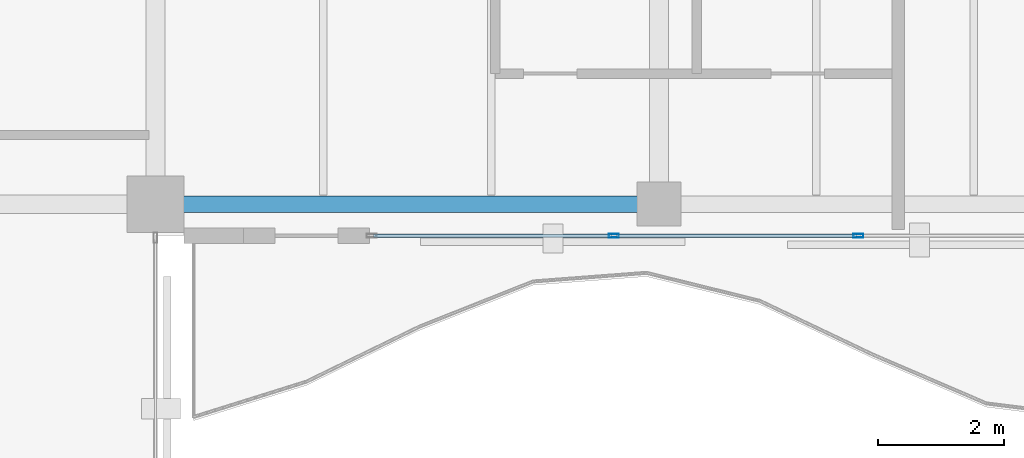
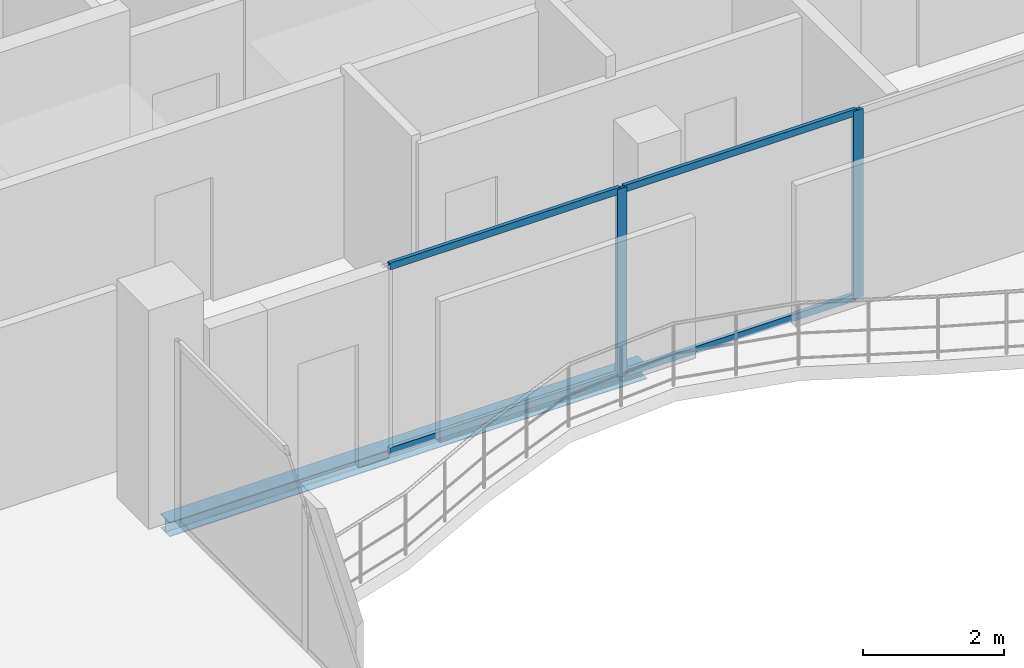
# One storey, part 9 of 23: 6 members, 1 beam, 1 element without a shape of its own.
"""IFC4 building model written with IfcOpenShell, lengths in metres."""

import ifcopenshell
import ifcopenshell.guid

model = None  # the IFC model being written
_history = None  # IfcOwnerHistory: only IFC2X3 demands one
_inside = {}  # id of a spatial element -> (the spatial element, [elements in it])
_under = {}  # id of a project, library or spatial element -> (it, [spatial elements below it])
_declared = {}  # id of a project -> (the project, [libraries it declares])
_typed = {}  # id of a type object -> (the type object, [elements of that type])
_made_of = {}  # id of a material, layer set ... -> (it, [elements and type objects made of it])


def new_model(schema):
    """Start an empty IFC model of exactly this schema.

    Asked for "IFC4X3", IfcOpenShell would pick the latest addendum, in which some entities
    have other attributes; the version numbers below select the first issue.
    IFC2X3 requires an IfcOwnerHistory on every rooted entity: one is made here for all.
    """
    global model, _history
    if schema == "IFC4X3":
        model = ifcopenshell.file(schema_version=(4, 3, 0, 0))
    else:
        model = ifcopenshell.file(schema=schema)
    _inside.clear()
    _under.clear()
    _declared.clear()
    _typed.clear()
    _made_of.clear()
    _history = None
    if model.schema == "IFC2X3":
        org = make("IfcOrganization", Name="unknown")
        user = make(
            "IfcPersonAndOrganization",
            ThePerson=make("IfcPerson", FamilyName="unknown"),
            TheOrganization=org,
        )
        app = make(
            "IfcApplication",
            ApplicationDeveloper=org,
            Version="unknown",
            ApplicationFullName="unknown",
            ApplicationIdentifier="unknown",
        )
        _history = make(
            "IfcOwnerHistory",
            OwningUser=user,
            OwningApplication=app,
            ChangeAction="ADDED",
            CreationDate=0,
        )
    return model


def make(cls, **values):
    """One entity of the class cls with the attributes given. An attribute that is None is left unset."""
    return model.create_entity(
        cls, **{name: value for name, value in values.items() if value is not None}
    )


def rooted(cls, **values):
    """An entity with a GlobalId (a new one), such as an element, a storey or a relation."""
    return make(cls, GlobalId=ifcopenshell.guid.new(), OwnerHistory=_history, **values)


def si_unit(unit_type, name, prefix=None):
    """IfcSIUnit, for example si_unit("LENGTHUNIT", "METRE", prefix="MILLI")."""
    return make("IfcSIUnit", UnitType=unit_type, Prefix=prefix, Name=name)


def assignment(units):
    """IfcUnitAssignment: the units of a project."""
    return None if units is None else make("IfcUnitAssignment", Units=units)


def point(xyz):
    """IfcCartesianPoint."""
    return None if xyz is None else make("IfcCartesianPoint", Coordinates=xyz)


def direction(xyz):
    """IfcDirection."""
    return None if xyz is None else make("IfcDirection", DirectionRatios=xyz)


def frame(location, z_axis=None, x_axis=None):
    """IfcAxis2Placement3D, a coordinate frame: its origin and axes. An axis left out is left unset."""
    return make(
        "IfcAxis2Placement3D",
        Location=point(location),
        Axis=direction(z_axis),
        RefDirection=direction(x_axis),
    )


def frame_2d(location, x_axis=None):
    """IfcAxis2Placement2D, a coordinate frame in the plane: its origin and x axis."""
    return make(
        "IfcAxis2Placement2D", Location=point(location), RefDirection=direction(x_axis)
    )


def origin():
    """The frame at (0, 0, 0) with its axes left unset."""
    return frame((0.0, 0.0, 0.0))


def origin_2d():
    """The frame at (0, 0) in the plane with its x axis left unset."""
    return frame_2d((0.0, 0.0))


def place(relative_to, where):
    """IfcLocalPlacement: puts the frame where relative to a parent placement (None: the world)."""
    return make(
        "IfcLocalPlacement", PlacementRelTo=relative_to, RelativePlacement=where
    )


def context(
    kind, dimensions, precision=None, world=None, true_north=None, identifier=None
):
    """IfcGeometricRepresentationContext, for example the 3D "Model" context."""
    return make(
        "IfcGeometricRepresentationContext",
        ContextIdentifier=identifier,
        ContextType=kind,
        CoordinateSpaceDimension=dimensions,
        Precision=precision,
        WorldCoordinateSystem=world,
        TrueNorth=true_north,
    )


def subcontext(parent, identifier, kind, view, scale=None):
    """IfcGeometricRepresentationSubContext, for example "Body" below "Model"."""
    return make(
        "IfcGeometricRepresentationSubContext",
        ContextIdentifier=identifier,
        ContextType=kind,
        ParentContext=parent,
        TargetScale=scale,
        TargetView=view,
    )


def project(units=None, contexts=None):
    """IfcProject with its units and contexts."""
    return rooted(
        "IfcProject",
        Name="project",
        RepresentationContexts=contexts,
        UnitsInContext=assignment(units),
    )


def spatial(cls, under=None, at=None, **own):
    """A site, building, storey or space (cls), placed at a placement, below another one or the project."""
    s = rooted(cls, ObjectPlacement=at, **own)
    if under is not None:
        _under.setdefault(under.id(), (under, []))[1].append(s)
    return s


def profile(cls, at=None, kind="AREA", **sizes):
    """A parametric profile (cls). Its sizes go by their IFC names, for example OverallWidth=200.0."""
    return make(cls, ProfileType=kind, Position=at, **sizes)


def hollow_rectangle(**sizes):
    """IfcRectangleHollowProfileDef."""
    return profile("IfcRectangleHollowProfileDef", **sizes)


def i_section(**sizes):
    """IfcIShapeProfileDef."""
    return profile("IfcIShapeProfileDef", **sizes)


def extrude(swept, where, along, depth):
    """IfcExtrudedAreaSolid: the profile swept, set in the frame where, extruded along a direction by depth."""
    return make(
        "IfcExtrudedAreaSolid",
        SweptArea=swept,
        Position=where,
        ExtrudedDirection=direction(along),
        Depth=depth,
    )


def shape(context_of_items, identifier, shape_type, items):
    """IfcShapeRepresentation: the items that make up one representation, for example the "Body"."""
    return make(
        "IfcShapeRepresentation",
        ContextOfItems=context_of_items,
        RepresentationIdentifier=identifier,
        RepresentationType=shape_type,
        Items=items,
    )


def material(Name=None, Category=None):
    """IfcMaterial."""
    return make("IfcMaterial", Name=Name, Category=Category)


def layer(
    of_material, thickness, ventilated=None, Name=None, Category=None, Priority=None
):
    """IfcMaterialLayer: one layer of a wall or slab, of a material (None: an air gap)."""
    return make(
        "IfcMaterialLayer",
        Material=of_material,
        LayerThickness=thickness,
        IsVentilated=ventilated,
        Name=Name,
        Category=Category,
        Priority=Priority,
    )


def layer_set(layers, Name=None):
    """IfcMaterialLayerSet."""
    return make("IfcMaterialLayerSet", MaterialLayers=layers, LayerSetName=Name)


def material_profile(
    of_material, cross_section, Name=None, Category=None, Priority=None
):
    """IfcMaterialProfile: a cross section and its material."""
    return make(
        "IfcMaterialProfile",
        Name=Name,
        Material=of_material,
        Profile=cross_section,
        Priority=Priority,
        Category=Category,
    )


def profile_set(profiles, Name=None, composite=None):
    """IfcMaterialProfileSet."""
    return make(
        "IfcMaterialProfileSet",
        Name=Name,
        MaterialProfiles=profiles,
        CompositeProfile=composite,
    )


def made_of(thing, what):
    """Note that an element or type object is made of a material, layer set ...; save() writes the relation."""
    if what is not None:
        _made_of.setdefault(what.id(), (what, []))[1].append(thing)
    return thing


def type_object(cls, material=None, **own):
    """A type object (cls), such as IfcWallType, which elements share."""
    return made_of(rooted(cls, **own), material)


def element(
    cls,
    number,
    at=None,
    inside=None,
    cuts=None,
    type_object=None,
    material=None,
    context=None,
    identifier="Body",
    shape_type=None,
    held_by="IfcProductDefinitionShape",
    body=None,
    shapes=None,
    **own,
):
    """One element of the class cls, such as IfcWall. Its Tag is "e" and its number.

    at: its placement. inside: the storey or other place that contains it. cuts: it is an
    opening in that element (IfcRelVoidsElement). A single representation is given by context,
    identifier, shape_type and body (its items); several are given by shapes. held_by: the class
    of the entity that holds the representations. save() writes the other relations.
    """
    e = rooted(cls, Tag="e%d" % number, ObjectPlacement=at, **own)
    if body is not None:
        shapes = [shape(context, identifier, shape_type, body)]
    if shapes is not None:
        e.Representation = make(held_by, Representations=shapes)
    if inside is not None:
        _inside.setdefault(inside.id(), (inside, []))[1].append(e)
    if cuts is not None:
        rooted(
            "IfcRelVoidsElement", RelatingBuildingElement=cuts, RelatedOpeningElement=e
        )
    if type_object is not None:
        _typed.setdefault(type_object.id(), (type_object, []))[1].append(e)
    return made_of(e, material)


def aggregate(whole, parts):
    """IfcRelAggregates: a whole, such as a stair, and the parts it consists of."""
    return rooted("IfcRelAggregates", RelatingObject=whole, RelatedObjects=parts)


def save(model, path):
    """Write the relations noted so far, then the file.

    IfcRelAggregates (storeys below a building ...), IfcRelContainedInSpatialStructure (elements
    in a storey), IfcRelDefinesByType, IfcRelAssociatesMaterial and IfcRelDeclares: one each for
    every whole, place, type object, material and project.
    """
    for whole, parts in _under.values():
        aggregate(whole, parts)
    for where, things in _inside.values():
        rooted(
            "IfcRelContainedInSpatialStructure",
            RelatedElements=things,
            RelatingStructure=where,
        )
    for kind, things in _typed.values():
        rooted("IfcRelDefinesByType", RelatedObjects=things, RelatingType=kind)
    for what, things in _made_of.values():
        rooted("IfcRelAssociatesMaterial", RelatedObjects=things, RelatingMaterial=what)
    for by, libraries in _declared.values():
        rooted("IfcRelDeclares", RelatingContext=by, RelatedDefinitions=libraries)
    model.write(path)


model = new_model("IFC4")

# Units and contexts
model_context = context("Model", 3, precision=1e-05, world=origin(), true_north=direction((0.0, 1.0)))
body_context = subcontext(model_context, "Body", "Model", "MODEL_VIEW")
ifc_project = project(units=[si_unit("LENGTHUNIT", "METRE"), si_unit("AREAUNIT", "SQUARE_METRE"), si_unit("VOLUMEUNIT", "CUBIC_METRE"), si_unit("PLANEANGLEUNIT", "RADIAN"), si_unit("MASSUNIT", "GRAM", prefix="KILO")], contexts=[model_context])

# Site, building, storey
site_placement = place(None, origin())
site = spatial("IfcSite", under=ifc_project, at=site_placement, CompositionType="ELEMENT")
building_placement = place(site_placement, origin())
building = spatial("IfcBuilding", under=site, at=building_placement, Name="Catumbela Crestline Tower", CompositionType="ELEMENT")
storey_placement = place(building_placement, frame((0.0, 0.0, 248.8)))
storey = spatial("IfcBuildingStorey", under=building, at=storey_placement, Name="L64", CompositionType="ELEMENT", Elevation=248.8)

# Curtain wall, members
ifc_material_1 = material(Name="Aluminium alloy AW-6060-T66", Category="aluminium")
ifc_layer = layer(ifc_material_1, 0.18, Name="Aluminium alloy AW-6060-T66")
ifc_layer_set = layer_set([ifc_layer], Name="Aluminium alloy AW-6060-T66")
curtain_wall_type = type_object("IfcCurtainWallType", Name="CWU-Z4", PredefinedType="USERDEFINED", material=ifc_layer_set)
curtain_wall_placement = place(storey_placement, origin())
curtain_wall = element("IfcCurtainWall", 1, at=curtain_wall_placement, inside=storey, type_object=curtain_wall_type, Name="L64 Unitised Curtain Wall CW-L64-E3S2", ObjectType="UNITISED", PredefinedType="USERDEFINED")
ifc_material_profile_1 = material_profile(ifc_material_1, hollow_rectangle(XDim=0.06, YDim=0.16, WallThickness=0.004, at=origin_2d()), Name="ALU 160x60x4")
ifc_profile_set_1 = profile_set([ifc_material_profile_1], Name="Aluminium alloy AW-6060-T66")
member_type_1 = type_object("IfcMemberType", Name="MUL-160X60", PredefinedType="MULLION", material=ifc_profile_set_1)
member_1_placement = place(storey_placement, frame((31.2833, 24.0, 0.0), z_axis=(0.0, 0.0, 1.0), x_axis=(0.0, 1.0, 0.0)))
member_1 = element("IfcMember", 2, at=member_1_placement, type_object=member_type_1, Name="CWU-Z4 mullion 2", PredefinedType="MULLION", context=body_context, shape_type="SweptSolid", body=[
    extrude(hollow_rectangle(XDim=0.06, YDim=0.16, WallThickness=0.004, at=origin_2d()), origin(), (0.0, 0.0, 1.0), 3.27),
])
member_2_placement = place(storey_placement, frame((35.1667, 24.0, 0.0), z_axis=(0.0, 0.0, 1.0), x_axis=(0.0, 1.0, 0.0)))
member_2 = element("IfcMember", 3, at=member_2_placement, type_object=member_type_1, Name="CWU-Z4 mullion 3", PredefinedType="MULLION", context=body_context, shape_type="SweptSolid", body=[
    extrude(hollow_rectangle(XDim=0.06, YDim=0.16, WallThickness=0.004, at=origin_2d()), origin(), (0.0, 0.0, 1.0), 3.27),
])

# Beam
ifc_material_2 = material(Name="Structural steel S355J2", Category="steel")
ifc_material_profile_2 = material_profile(ifc_material_2, i_section(OverallWidth=0.26, OverallDepth=0.25, WebThickness=0.0075, FlangeThickness=0.0125, FilletRadius=0.024, at=origin_2d()), Name="HEA 260")
ifc_profile_set_2 = profile_set([ifc_material_profile_2], Name="Structural steel S355J2")
beam_type = type_object("IfcBeamType", Name="BS-HEA260", PredefinedType="SPANDREL", material=ifc_profile_set_2)
beam_placement = place(storey_placement, frame((24.08, 24.5, -0.385), z_axis=(1.0, 0.0, 0.0), x_axis=(0.0, 1.0, 0.0)))
element("IfcBeam", 4, at=beam_placement, inside=storey, type_object=beam_type, Name="L64 Spandrel SP-L64-S04", PredefinedType="SPANDREL", context=body_context, shape_type="SweptSolid", body=[
    extrude(i_section(OverallWidth=0.26, OverallDepth=0.25, WebThickness=0.0075, FlangeThickness=0.0125, FilletRadius=0.024, at=origin_2d()), origin(), (0.0, 0.0, 1.0), 7.84),
])

# Member
ifc_material_profile_3 = material_profile(ifc_material_1, hollow_rectangle(XDim=0.06, YDim=0.12, WallThickness=0.0035, at=origin_2d()), Name="ALU 120x60x3.5")
ifc_profile_set_3 = profile_set([ifc_material_profile_3], Name="Aluminium alloy AW-6060-T66")
member_type_2 = type_object("IfcMemberType", Name="TRN-120X60", PredefinedType="USERDEFINED", material=ifc_profile_set_3)
member_3_placement = place(storey_placement, frame((27.465, 24.0, 0.03), z_axis=(1.0, 0.0, 0.0), x_axis=(0.0, 1.0, 0.0)))
member_3 = element("IfcMember", 5, at=member_3_placement, type_object=member_type_2, Name="CWU-Z4 transom 1.1", ObjectType="TRANSOM", PredefinedType="USERDEFINED", context=body_context, shape_type="SweptSolid", body=[
    extrude(hollow_rectangle(XDim=0.06, YDim=0.12, WallThickness=0.0035, at=origin_2d()), origin(), (0.0, 0.0, 1.0), 3.7858),
])

member_4_placement = place(storey_placement, frame((27.465, 24.0, 3.24), z_axis=(1.0, 0.0, 0.0), x_axis=(0.0, 1.0, 0.0)))
member_4 = element("IfcMember", 6, at=member_4_placement, type_object=member_type_2, Name="CWU-Z4 transom 1.2", ObjectType="TRANSOM", PredefinedType="USERDEFINED", context=body_context, shape_type="SweptSolid", body=[
    extrude(hollow_rectangle(XDim=0.06, YDim=0.12, WallThickness=0.0035, at=origin_2d()), origin(), (0.0, 0.0, 1.0), 3.7858),
])

member_5_placement = place(storey_placement, frame((31.3158, 24.0, 0.03), z_axis=(1.0, 0.0, 0.0), x_axis=(0.0, 1.0, 0.0)))
member_5 = element("IfcMember", 7, at=member_5_placement, type_object=member_type_2, Name="CWU-Z4 transom 2.1", ObjectType="TRANSOM", PredefinedType="USERDEFINED", context=body_context, shape_type="SweptSolid", body=[
    extrude(hollow_rectangle(XDim=0.06, YDim=0.12, WallThickness=0.0035, at=origin_2d()), origin(), (0.0, 0.0, 1.0), 3.8184),
])

member_6_placement = place(storey_placement, frame((31.3158, 24.0, 3.24), z_axis=(1.0, 0.0, 0.0), x_axis=(0.0, 1.0, 0.0)))
member_6 = element("IfcMember", 8, at=member_6_placement, type_object=member_type_2, Name="CWU-Z4 transom 2.2", ObjectType="TRANSOM", PredefinedType="USERDEFINED", context=body_context, shape_type="SweptSolid", body=[
    extrude(hollow_rectangle(XDim=0.06, YDim=0.12, WallThickness=0.0035, at=origin_2d()), origin(), (0.0, 0.0, 1.0), 3.8184),
])

aggregate(curtain_wall, [member_1, member_2, member_3, member_4, member_5, member_6])

save(model, "model.ifc")
